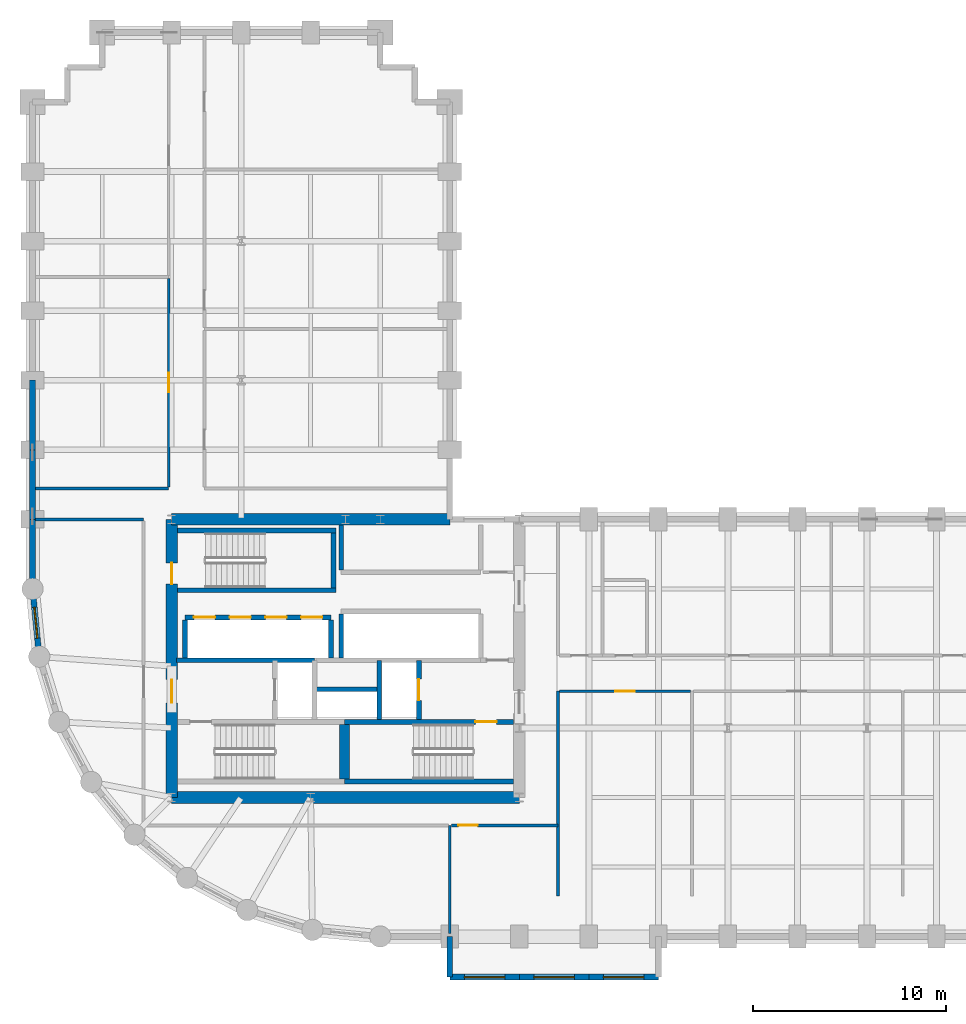
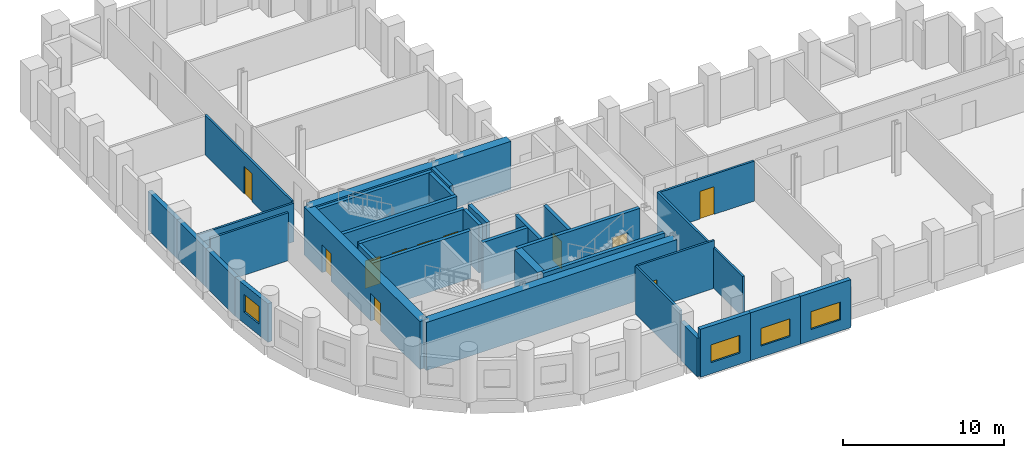
# One storey, part 6 of 9: 33 walls, 11 doors, 4 windows, 15 openings.
"""IFC4 building model written with IfcOpenShell, lengths in metres."""

from ifc_helpers import new_model, si_unit, direction, frame, frame_2d, origin, place, context, subcontext, project, spatial, rectangle, extrude, material, layer, layer_set, type_object, element, fill, save


model = new_model("IFC4")

# Units and contexts
model_context = context("Model", 3, precision=1e-05, world=origin(), true_north=direction((0.0, 1.0)))
body_context = subcontext(model_context, "Body", "Model", "MODEL_VIEW")
ifc_project = project(units=[si_unit("LENGTHUNIT", "METRE"), si_unit("AREAUNIT", "SQUARE_METRE"), si_unit("VOLUMEUNIT", "CUBIC_METRE"), si_unit("PLANEANGLEUNIT", "RADIAN"), si_unit("MASSUNIT", "GRAM", prefix="KILO")], contexts=[model_context])

# Site, building, storey
site_placement = place(None, origin())
site = spatial("IfcSite", under=ifc_project, at=site_placement, CompositionType="ELEMENT")
building_placement = place(site_placement, origin())
building = spatial("IfcBuilding", under=site, at=building_placement, Name="Solnavia Interchange Tower", CompositionType="ELEMENT")
storey_placement = place(building_placement, frame((0.0, 0.0, 66.89990234375)))
storey = spatial("IfcBuildingStorey", under=building, at=storey_placement, Name="L16", CompositionType="ELEMENT", Elevation=66.89990234375)

# Wall
ifc_material_1 = material(Name="Concrete C40/50", Category="concrete")
ifc_layer_1 = layer(ifc_material_1, 0.300048828125)
ifc_layer_set_1 = layer_set([ifc_layer_1], Name="Concrete C40/50")
wall_type_1 = type_object("IfcWallType", Name="Wall-ExtSpandrel-300", PredefinedType="STANDARD", material=ifc_layer_set_1)
wall_1_placement = place(storey_placement, frame((28.800048828125, 1.5, 0.0), z_axis=(0.0, 0.0, 1.0), x_axis=(0.0, 1.0, 0.0)))
element("IfcWall", 1, at=wall_1_placement, inside=storey, type_object=wall_type_1, Name="EXW-L16-02 Exterior precast spandrel wall", PredefinedType="STANDARD", context=body_context, shape_type="SweptSolid", body=[
    extrude(rectangle(XDim=2.10009765625, YDim=0.300048828125, at=frame_2d((1.050048828125, 0.0))), origin(), (0.0, 0.0, 1.0), 2.93017578125),
])

# Wall, opening, window
wall_2_placement = place(storey_placement, frame((32.39990234375, 1.5, 0.0), z_axis=(0.0, 0.0, 1.0), x_axis=(-1.0, 0.0, 0.0)))
wall_2 = element("IfcWall", 2, at=wall_2_placement, inside=storey, type_object=wall_type_1, Name="EXW-L16-03 Exterior precast spandrel wall", PredefinedType="STANDARD", context=body_context, shape_type="SweptSolid", body=[
    extrude(rectangle(XDim=3.599853515625, YDim=0.300048828125, at=frame_2d((1.7998046875, 0.0))), origin(), (0.0, 0.0, 1.0), 3.635009765625),
])
opening_1_placement = place(wall_2_placement, frame((0.75, 0.0, 0.85009765625)))
opening_1 = element("IfcOpeningElement", 3, at=opening_1_placement, cuts=wall_2, Name="Opening WIN-01", PredefinedType="OPENING", context=body_context, shape_type="SweptSolid", body=[
    extrude(rectangle(XDim=2.10009765625, YDim=1.35009765625, at=frame_2d((1.050048828125, 0.675048828125))), frame((0.0, 0.16015625, 0.0), z_axis=(0.0, -1.0, 0.0), x_axis=(1.0, 0.0, 0.0)), (0.0, 0.0, 1.0), 0.320068359375),
])
ifc_material_2 = material(Name="Thermal-Break Aluminium & Low-E Glass", Category="aluminium")
window_type_1 = type_object("IfcWindowType", Name="Window-Ribbon-2100x1350", PartitioningType="SINGLE_PANEL", PredefinedType="WINDOW", material=ifc_material_2)
window_1_placement = place(opening_1_placement, origin())
window_1 = element("IfcWindow", 4, at=window_1_placement, inside=storey, type_object=window_type_1, Name="WIN-L16-03 Facade ribbon window", OverallHeight=1.35009765625, OverallWidth=2.10009765625, PartitioningType="SINGLE_PANEL", PredefinedType="WINDOW", context=body_context, shape_type="SweptSolid", body=[
    extrude(rectangle(XDim=2.10009765625, YDim=1.35009765625, at=frame_2d((1.050048828125, 0.675048828125))), frame((0.0, 0.030029296875, 0.0), z_axis=(0.0, -1.0, 0.0), x_axis=(1.0, 0.0, 0.0)), (0.0, 0.0, 1.0), 0.06005859375),
])
fill(opening_1, window_1)

wall_3_placement = place(storey_placement, frame((36.0, 1.5, 0.0), z_axis=(0.0, 0.0, 1.0), x_axis=(-1.0, 0.0, 0.0)))
wall_3 = element("IfcWall", 5, at=wall_3_placement, inside=storey, type_object=wall_type_1, Name="EXW-L16-04 Exterior precast spandrel wall", PredefinedType="STANDARD", context=body_context, shape_type="SweptSolid", body=[
    extrude(rectangle(XDim=3.60009765625, YDim=0.300048828125, at=frame_2d((1.800048828125, 0.0))), origin(), (0.0, 0.0, 1.0), 3.635009765625),
])
opening_2_placement = place(wall_3_placement, frame((0.75, 0.0, 0.85009765625)))
opening_2 = element("IfcOpeningElement", 6, at=opening_2_placement, cuts=wall_3, Name="Opening WIN-01", PredefinedType="OPENING", context=body_context, shape_type="SweptSolid", body=[
    extrude(rectangle(XDim=2.10009765625, YDim=1.35009765625, at=frame_2d((1.050048828125, 0.675048828125))), frame((0.0, 0.16015625, 0.0), z_axis=(0.0, -1.0, 0.0), x_axis=(1.0, 0.0, 0.0)), (0.0, 0.0, 1.0), 0.320068359375),
])
window_2_placement = place(opening_2_placement, origin())
window_2 = element("IfcWindow", 7, at=window_2_placement, inside=storey, type_object=window_type_1, Name="WIN-L16-04 Facade ribbon window", OverallHeight=1.35009765625, OverallWidth=2.10009765625, PartitioningType="SINGLE_PANEL", PredefinedType="WINDOW", context=body_context, shape_type="SweptSolid", body=[
    extrude(rectangle(XDim=2.10009765625, YDim=1.35009765625, at=frame_2d((1.050048828125, 0.675048828125))), frame((0.0, 0.030029296875, 0.0), z_axis=(0.0, -1.0, 0.0), x_axis=(1.0, 0.0, 0.0)), (0.0, 0.0, 1.0), 0.06005859375),
])
fill(opening_2, window_2)

wall_4_placement = place(storey_placement, frame((39.60009765625, 1.5, 0.0), z_axis=(0.0, 0.0, 1.0), x_axis=(-1.0, 0.0, 0.0)))
wall_4 = element("IfcWall", 8, at=wall_4_placement, inside=storey, type_object=wall_type_1, Name="EXW-L16-05 Exterior precast spandrel wall", PredefinedType="STANDARD", context=body_context, shape_type="SweptSolid", body=[
    extrude(rectangle(XDim=3.60009765625, YDim=0.300048828125, at=frame_2d((1.800048828125, 0.0))), origin(), (0.0, 0.0, 1.0), 3.635009765625),
])
opening_3_placement = place(wall_4_placement, frame((0.75, 0.0, 0.85009765625)))
opening_3 = element("IfcOpeningElement", 9, at=opening_3_placement, cuts=wall_4, Name="Opening WIN-01", PredefinedType="OPENING", context=body_context, shape_type="SweptSolid", body=[
    extrude(rectangle(XDim=2.10009765625, YDim=1.35009765625, at=frame_2d((1.050048828125, 0.675048828125))), frame((0.0, 0.16015625, 0.0), z_axis=(0.0, -1.0, 0.0), x_axis=(1.0, 0.0, 0.0)), (0.0, 0.0, 1.0), 0.320068359375),
])
window_3_placement = place(opening_3_placement, origin())
window_3 = element("IfcWindow", 10, at=window_3_placement, inside=storey, type_object=window_type_1, Name="WIN-L16-05 Facade ribbon window", OverallHeight=1.35009765625, OverallWidth=2.10009765625, PartitioningType="SINGLE_PANEL", PredefinedType="WINDOW", context=body_context, shape_type="SweptSolid", body=[
    extrude(rectangle(XDim=2.10009765625, YDim=1.35009765625, at=frame_2d((1.050048828125, 0.675048828125))), frame((0.0, 0.030029296875, 0.0), z_axis=(0.0, -1.0, 0.0), x_axis=(1.0, 0.0, 0.0)), (0.0, 0.0, 1.0), 0.06005859375),
])
fill(opening_3, window_3)

# Walls
wall_5_placement = place(storey_placement, frame((7.199951171875, 28.800048828125, 0.0), z_axis=(0.0, 0.0, 1.0), x_axis=(0.0, 1.0, 0.0)))
element("IfcWall", 11, at=wall_5_placement, inside=storey, type_object=wall_type_1, Name="EXW-L16-54 Exterior precast spandrel wall", PredefinedType="STANDARD", context=body_context, shape_type="SweptSolid", body=[
    extrude(rectangle(XDim=3.599853515625, YDim=0.300048828125, at=frame_2d((1.7998046875, 0.0))), origin(), (0.0, 0.0, 1.0), 2.93017578125),
])
wall_6_placement = place(storey_placement, frame((7.199951171875, 25.199951171875, 0.0), z_axis=(0.0, 0.0, 1.0), x_axis=(0.0, 1.0, 0.0)))
element("IfcWall", 12, at=wall_6_placement, inside=storey, type_object=wall_type_1, Name="EXW-L16-55 Exterior precast spandrel wall", PredefinedType="STANDARD", context=body_context, shape_type="SweptSolid", body=[
    extrude(rectangle(XDim=3.60009765625, YDim=0.300048828125, at=frame_2d((1.800048828125, 0.0))), origin(), (0.0, 0.0, 1.0), 2.93017578125),
])
wall_7_placement = place(storey_placement, frame((7.199951171875, 21.60009765625, 0.0), z_axis=(0.0, 0.0, 1.0), x_axis=(0.0, 1.0, 0.0)))
element("IfcWall", 13, at=wall_7_placement, inside=storey, type_object=wall_type_1, Name="EXW-L16-56 Exterior precast spandrel wall", PredefinedType="STANDARD", context=body_context, shape_type="SweptSolid", body=[
    extrude(rectangle(XDim=3.599853515625, YDim=0.300048828125, at=frame_2d((1.7998046875, 0.0))), origin(), (0.0, 0.0, 1.0), 2.93017578125),
])

# Wall, opening, window
wall_8_placement = place(storey_placement, frame((7.5458984375, 18.087890625, 0.0), z_axis=(0.0, 0.0, 1.0), x_axis=(-0.09802417461, 0.995184033831, 0.0)))
wall_8 = element("IfcWall", 14, at=wall_8_placement, inside=storey, type_object=wall_type_1, Name="EXW-L16-57 Exterior precast spandrel wall", PredefinedType="STANDARD", context=body_context, shape_type="SweptSolid", body=[
    extrude(rectangle(XDim=3.529296875, YDim=0.300048828125, at=frame_2d((1.7646484375, 0.0))), origin(), (0.0, 0.0, 1.0), 2.93017578125),
])
opening_4_placement = place(wall_8_placement, frame((0.965087890625, 0.0, 0.85009765625)))
opening_4 = element("IfcOpeningElement", 15, at=opening_4_placement, cuts=wall_8, Name="Opening WIN-04", PredefinedType="OPENING", context=body_context, shape_type="SweptSolid", body=[
    extrude(rectangle(XDim=1.60009765625, YDim=1.35009765625, at=frame_2d((0.800048828125, 0.675048828125))), frame((0.0, 0.16015625, 0.0), z_axis=(0.0, -1.0, 0.0), x_axis=(1.0, 0.0, 0.0)), (0.0, 0.0, 1.0), 0.320068359375),
])
window_type_2 = type_object("IfcWindowType", Name="Window-Drum-1600x1350", PartitioningType="SINGLE_PANEL", PredefinedType="WINDOW", material=ifc_material_2)
window_4_placement = place(opening_4_placement, origin())
window_4 = element("IfcWindow", 16, at=window_4_placement, inside=storey, type_object=window_type_2, Name="WIN-L16-57 Facade ribbon window", OverallHeight=1.35009765625, OverallWidth=1.60009765625, PartitioningType="SINGLE_PANEL", PredefinedType="WINDOW", context=body_context, shape_type="SweptSolid", body=[
    extrude(rectangle(XDim=1.60009765625, YDim=1.35009765625, at=frame_2d((0.800048828125, 0.675048828125))), frame((0.0, 0.030029296875, 0.0), z_axis=(0.0, -1.0, 0.0), x_axis=(1.0, 0.0, 0.0)), (0.0, 0.0, 1.0), 0.06005859375),
])
fill(opening_4, window_4)

# Walls
ifc_material_3 = material(Name="Gypsum Plasterboard & Steel Stud", Category="steel")
ifc_layer_2 = layer(ifc_material_3, 0.14990234375)
ifc_layer_set_2 = layer_set([ifc_layer_2], Name="Gypsum Plasterboard & Steel Stud")
wall_type_2 = type_object("IfcWallType", Name="Wall-Partition-150", PredefinedType="PARTITIONING", material=ifc_layer_set_2)
wall_9_placement = place(storey_placement, frame((7.35400390625, 25.199951171875, 0.0), z_axis=(0.0, 0.0, 1.0), x_axis=(1.0, 0.0, 0.0)))
element("IfcWall", 17, at=wall_9_placement, inside=storey, type_object=wall_type_2, Name="PTW-L16-07 Interior partition wall", PredefinedType="PARTITIONING", context=body_context, shape_type="SweptSolid", body=[
    extrude(rectangle(XDim=5.595947265625, YDim=0.14990234375, at=frame_2d((2.7978515625, 0.0))), origin(), (0.0, 0.0, 1.0), 3.635009765625),
])
wall_10_placement = place(storey_placement, frame((28.800048828125, 9.35009765625, 0.0), z_axis=(0.0, 0.0, 1.0), x_axis=(0.0, -1.0, 0.0)))
element("IfcWall", 18, at=wall_10_placement, inside=storey, type_object=wall_type_2, Name="PTW-L16-08 Interior partition wall", PredefinedType="PARTITIONING", context=body_context, shape_type="SweptSolid", body=[
    extrude(rectangle(XDim=5.59619140625, YDim=0.14990234375, at=frame_2d((2.798095703125, 0.0))), origin(), (0.0, 0.0, 1.0), 3.635009765625),
])

# Wall, opening, door
wall_11_placement = place(storey_placement, frame((28.87890625, 9.35009765625, 0.0), z_axis=(0.0, 0.0, 1.0), x_axis=(1.0, 0.0, 0.0)))
wall_11 = element("IfcWall", 19, at=wall_11_placement, inside=storey, type_object=wall_type_2, Name="PTW-L16-11 Interior partition wall", PredefinedType="PARTITIONING", context=body_context, shape_type="SweptSolid", body=[
    extrude(rectangle(XDim=5.52099609375, YDim=0.14990234375, at=frame_2d((2.760498046875, 0.0))), origin(), (0.0, 0.0, 1.0), 3.635009765625),
])
opening_5_placement = place(wall_11_placement, frame((0.360107421875, 0.0, 0.0)))
opening_5 = element("IfcOpeningElement", 20, at=opening_5_placement, cuts=wall_11, Name="Opening DR-07", PredefinedType="OPENING", context=body_context, shape_type="SweptSolid", body=[
    extrude(rectangle(XDim=1.0, YDim=2.10009765625, at=frame_2d((0.5, 1.050048828125))), frame((0.0, 0.0849609375, 0.0), z_axis=(0.0, -1.0, 0.0), x_axis=(1.0, 0.0, 0.0)), (0.0, 0.0, 1.0), 0.169921875),
])
ifc_material_4 = material(Name="Timber & Acoustic Glazed Office Door", Category="wood")
door_type_1 = type_object("IfcDoorType", Name="Door-Office-1000x2100", OperationType="SINGLE_SWING_RIGHT", PredefinedType="DOOR", material=ifc_material_4)
door_1_placement = place(opening_5_placement, origin())
door_1 = element("IfcDoor", 21, at=door_1_placement, inside=storey, type_object=door_type_1, Name="DR-L16-04 Interior room door", OperationType="SINGLE_SWING_LEFT", OverallHeight=2.10009765625, OverallWidth=1.0, PredefinedType="DOOR", context=body_context, shape_type="SweptSolid", body=[
    extrude(rectangle(XDim=1.0, YDim=2.10009765625, at=frame_2d((0.5, 1.050048828125))), frame((0.0, 0.02490234375, 0.0), z_axis=(0.0, -1.0, 0.0), x_axis=(1.0, 0.0, 0.0)), (0.0, 0.0, 1.0), 0.050048828125),
])
fill(opening_5, door_1)

# Wall
wall_12_placement = place(storey_placement, frame((34.39990234375, 5.699951171875, 0.0), z_axis=(0.0, 0.0, 1.0), x_axis=(0.0, 1.0, 0.0)))
element("IfcWall", 22, at=wall_12_placement, inside=storey, type_object=wall_type_2, Name="PTW-L16-12 Interior partition wall", PredefinedType="PARTITIONING", context=body_context, shape_type="SweptSolid", body=[
    extrude(rectangle(XDim=10.60009765625, YDim=0.14990234375, at=frame_2d((5.300048828125, 0.0))), origin(), (0.0, 0.0, 1.0), 3.080078125),
])

# Wall, opening, door
wall_13_placement = place(storey_placement, frame((34.47900390625, 16.300048828125, 0.0), z_axis=(0.0, 0.0, 1.0), x_axis=(1.0, 0.0, 0.0)))
wall_13 = element("IfcWall", 23, at=wall_13_placement, inside=storey, type_object=wall_type_2, Name="PTW-L16-14 Interior partition wall", PredefinedType="PARTITIONING", context=body_context, shape_type="SweptSolid", body=[
    extrude(rectangle(XDim=6.7919921875, YDim=0.14990234375, at=frame_2d((3.39599609375, 0.0))), origin(), (0.0, 0.0, 1.0), 3.0400390625),
])
opening_6_placement = place(wall_13_placement, frame((2.89599609375, 0.0, 0.0)))
opening_6 = element("IfcOpeningElement", 24, at=opening_6_placement, cuts=wall_13, Name="Opening DR-07", PredefinedType="OPENING", context=body_context, shape_type="SweptSolid", body=[
    extrude(rectangle(XDim=1.0, YDim=2.10009765625, at=frame_2d((0.5, 1.050048828125))), frame((0.0, 0.0849609375, 0.0), z_axis=(0.0, -1.0, 0.0), x_axis=(1.0, 0.0, 0.0)), (0.0, 0.0, 1.0), 0.169921875),
])
door_2_placement = place(opening_6_placement, origin())
door_2 = element("IfcDoor", 25, at=door_2_placement, inside=storey, type_object=door_type_1, Name="DR-L16-05 Interior room door", OperationType="SINGLE_SWING_RIGHT", OverallHeight=2.10009765625, OverallWidth=1.0, PredefinedType="DOOR", context=body_context, shape_type="SweptSolid", body=[
    extrude(rectangle(XDim=1.0, YDim=2.10009765625, at=frame_2d((0.5, 1.050048828125))), frame((0.0, 0.02490234375, 0.0), z_axis=(0.0, -1.0, 0.0), x_axis=(1.0, 0.0, 0.0)), (0.0, 0.0, 1.0), 0.050048828125),
])
fill(opening_6, door_2)

# Wall
wall_14_placement = place(storey_placement, frame((7.35400390625, 26.800048828125, 0.0), z_axis=(0.0, 0.0, 1.0), x_axis=(1.0, 0.0, 0.0)))
element("IfcWall", 26, at=wall_14_placement, inside=storey, type_object=wall_type_2, Name="PTW-L16-21 Interior partition wall", PredefinedType="PARTITIONING", context=body_context, shape_type="SweptSolid", body=[
    extrude(rectangle(XDim=6.89599609375, YDim=0.14990234375, at=frame_2d((3.447998046875, 0.0))), origin(), (0.0, 0.0, 1.0), 2.93017578125),
])

# Wall, opening, door
wall_15_placement = place(storey_placement, frame((14.25, 26.87890625, 0.0), z_axis=(0.0, 0.0, 1.0), x_axis=(0.0, 1.0, 0.0)))
wall_15 = element("IfcWall", 27, at=wall_15_placement, inside=storey, type_object=wall_type_2, Name="PTW-L16-23 Interior partition wall", PredefinedType="PARTITIONING", context=body_context, shape_type="SweptSolid", body=[
    extrude(rectangle(XDim=10.7919921875, YDim=0.14990234375, at=frame_2d((5.39599609375, 0.0))), origin(), (0.0, 0.0, 1.0), 3.030029296875),
])
opening_7_placement = place(wall_15_placement, frame((4.89599609375, 0.0, 0.0)))
opening_7 = element("IfcOpeningElement", 28, at=opening_7_placement, cuts=wall_15, Name="Opening DR-07", PredefinedType="OPENING", context=body_context, shape_type="SweptSolid", body=[
    extrude(rectangle(XDim=1.0, YDim=2.10009765625, at=frame_2d((0.5, 1.050048828125))), frame((0.0, 0.0849609375, 0.0), z_axis=(0.0, -1.0, 0.0), x_axis=(1.0, 0.0, 0.0)), (0.0, 0.0, 1.0), 0.169921875),
])
door_3_placement = place(opening_7_placement, origin())
door_3 = element("IfcDoor", 29, at=door_3_placement, inside=storey, type_object=door_type_1, Name="DR-L16-10 Interior room door", OperationType="SINGLE_SWING_RIGHT", OverallHeight=2.10009765625, OverallWidth=1.0, PredefinedType="DOOR", context=body_context, shape_type="SweptSolid", body=[
    extrude(rectangle(XDim=1.0, YDim=2.10009765625, at=frame_2d((0.5, 1.050048828125))), frame((0.0, 0.02490234375, 0.0), z_axis=(0.0, -1.0, 0.0), x_axis=(1.0, 0.0, 0.0)), (0.0, 0.0, 1.0), 0.050048828125),
])
fill(opening_7, door_3)

# Wall
ifc_layer_3 = layer(ifc_material_1, 0.25)
ifc_layer_set_3 = layer_set([ifc_layer_3], Name="Concrete C40/50")
wall_type_3 = type_object("IfcWallType", Name="Wall-ShaftCore-250", PredefinedType="SHEAR", material=ifc_layer_set_3)
wall_16_placement = place(storey_placement, frame((23.35009765625, 11.625, 0.0), z_axis=(0.0, 0.0, 1.0), x_axis=(1.0, 0.0, 0.0)))
element("IfcWall", 30, at=wall_16_placement, inside=storey, type_object=wall_type_3, Name="SHW-L16-ST2S Core shear wall", PredefinedType="SHEAR", context=body_context, shape_type="SweptSolid", body=[
    extrude(rectangle(XDim=8.75, YDim=0.25, at=frame_2d((4.375, 0.0))), origin(), (0.0, 0.0, 1.0), 3.650146484375),
])

# Wall, opening, door
wall_17_placement = place(storey_placement, frame((23.35009765625, 14.715087890625, 0.0), z_axis=(0.0, 0.0, 1.0), x_axis=(1.0, 0.0, 0.0)))
wall_17 = element("IfcWall", 31, at=wall_17_placement, inside=storey, type_object=wall_type_3, Name="SHW-L16-ST2N Core shear wall", PredefinedType="SHEAR", context=body_context, shape_type="SweptSolid", body=[
    extrude(rectangle(XDim=8.75, YDim=0.25, at=frame_2d((4.375, 0.0))), origin(), (0.0, 0.0, 1.0), 3.650146484375),
])
opening_8_placement = place(wall_17_placement, frame((6.77490234375, 0.0, 0.0)))
opening_8 = element("IfcOpeningElement", 32, at=opening_8_placement, cuts=wall_17, Name="Opening DR-01", PredefinedType="OPENING", context=body_context, shape_type="SweptSolid", body=[
    extrude(rectangle(XDim=1.10009765625, YDim=2.10009765625, at=frame_2d((0.550048828125, 1.050048828125))), frame((0.0, 0.135009765625, 0.0), z_axis=(0.0, -1.0, 0.0), x_axis=(1.0, 0.0, 0.0)), (0.0, 0.0, 1.0), 0.27001953125),
])
ifc_material_5 = material(Name="Steel Fire-Rated Leaf & Frame", Category="steel")
door_type_2 = type_object("IfcDoorType", Name="Door-StairFire-1100x2100", OperationType="SINGLE_SWING_LEFT", PredefinedType="DOOR", material=ifc_material_5)
door_4_placement = place(opening_8_placement, origin())
door_4 = element("IfcDoor", 33, at=door_4_placement, inside=storey, type_object=door_type_2, Name="DR-L16-ST2 Core fire door", OperationType="SINGLE_SWING_LEFT", OverallHeight=2.10009765625, OverallWidth=1.10009765625, PredefinedType="DOOR", context=body_context, shape_type="SweptSolid", body=[
    extrude(rectangle(XDim=1.10009765625, YDim=2.10009765625, at=frame_2d((0.550048828125, 1.050048828125))), frame((0.0, 0.02490234375, 0.0), z_axis=(0.0, -1.0, 0.0), x_axis=(1.0, 0.0, 0.0)), (0.0, 0.0, 1.0), 0.050048828125),
])
fill(opening_8, door_4)

# Walls
for number, where, z_axis, x_axis, name in (
    (34, (14.699951171875, 21.52490234375, 0.0), (0.0, 0.0, 1.0), (1.0, 0.0, 0.0), "SHW-L16-ST3S Core shear wall"),
    (35, (14.699951171875, 24.614990234375, 0.0), (0.0, 0.0, 1.0), (1.0, 0.0, 0.0), "SHW-L16-ST3N Core shear wall"),
):
    element("IfcWall", number, at=place(storey_placement, frame(where, z_axis=z_axis, x_axis=x_axis)), inside=storey, type_object=wall_type_3, Name=name, PredefinedType="SHEAR", context=body_context, shape_type="SweptSolid", body=[
        extrude(rectangle(XDim=8.199951171875, YDim=0.25, at=frame_2d((4.10009765625, 0.0))), origin(), (0.0, 0.0, 1.0), 3.650146484375),
    ])
wall_18_placement = place(storey_placement, frame((22.77490234375, 21.64990234375, 0.0), z_axis=(0.0, 0.0, 1.0), x_axis=(0.0, 1.0, 0.0)))
element("IfcWall", 36, at=wall_18_placement, inside=storey, type_object=wall_type_3, Name="SHW-L16-ST3E Core shear wall", PredefinedType="SHEAR", context=body_context, shape_type="SweptSolid", body=[
    extrude(rectangle(XDim=2.840087890625, YDim=0.25, at=frame_2d((1.419921875, 0.0))), origin(), (0.0, 0.0, 1.0), 3.650146484375),
])
ifc_layer_4 = layer(ifc_material_1, 0.25)
ifc_layer_set_4 = layer_set([ifc_layer_4], Name="Concrete C40/50")
wall_type_4 = type_object("IfcWallType", Name="Wall-ShaftPart-250", PredefinedType="PARTITIONING", material=ifc_layer_set_4)
wall_19_placement = place(storey_placement, frame((14.64990234375, 17.89990234375, 0.0), z_axis=(0.0, 0.0, 1.0), x_axis=(1.0, 0.0, 0.0)))
element("IfcWall", 37, at=wall_19_placement, inside=storey, type_object=wall_type_4, Name="SHW-L16-FFLW-N Core shaft wall", PredefinedType="PARTITIONING", context=body_context, shape_type="SweptSolid", body=[
    extrude(rectangle(XDim=7.150146484375, YDim=0.25, at=frame_2d((3.5751953125, 0.0))), origin(), (0.0, 0.0, 1.0), 3.635009765625),
])
wall_20_placement = place(storey_placement, frame((25.14990234375, 14.840087890625, 0.0), z_axis=(0.0, 0.0, 1.0), x_axis=(0.0, 1.0, 0.0)))
element("IfcWall", 38, at=wall_20_placement, inside=storey, type_object=wall_type_4, Name="SHW-L16-FFL2-W Core shaft wall", PredefinedType="PARTITIONING", context=body_context, shape_type="SweptSolid", body=[
    extrude(rectangle(XDim=3.059814453125, YDim=0.25, at=frame_2d((1.52978515625, 0.0))), origin(), (0.0, 0.0, 1.0), 3.635009765625),
])

# Wall, opening, door
wall_21_placement = place(storey_placement, frame((27.199951171875, 14.840087890625, 0.0), z_axis=(0.0, 0.0, 1.0), x_axis=(0.0, 1.0, 0.0)))
wall_21 = element("IfcWall", 39, at=wall_21_placement, inside=storey, type_object=wall_type_4, Name="SHW-L16-FFL2-E Core shaft wall", PredefinedType="PARTITIONING", context=body_context, shape_type="SweptSolid", body=[
    extrude(rectangle(XDim=3.059814453125, YDim=0.25, at=frame_2d((1.52978515625, 0.0))), origin(), (0.0, 0.0, 1.0), 3.635009765625),
])
opening_9_placement = place(wall_21_placement, frame((0.97998046875, 0.0, 0.0)))
opening_9 = element("IfcOpeningElement", 40, at=opening_9_placement, cuts=wall_21, Name="Opening LD-01", PredefinedType="OPENING", context=body_context, shape_type="SweptSolid", body=[
    extrude(rectangle(XDim=1.10009765625, YDim=2.10009765625, at=frame_2d((0.550048828125, 1.050048828125))), frame((0.0, 0.135009765625, 0.0), z_axis=(0.0, -1.0, 0.0), x_axis=(1.0, 0.0, 0.0)), (0.0, 0.0, 1.0), 0.27001953125),
])
ifc_material_6 = material(Name="Brushed Stainless Steel Sliding Door", Category="steel")
door_type_3 = type_object("IfcDoorType", Name="Door-LiftLanding-1100x2100", OperationType="SLIDING_TO_LEFT", PredefinedType="DOOR", material=ifc_material_6)
door_5_placement = place(opening_9_placement, origin())
door_5 = element("IfcDoor", 41, at=door_5_placement, inside=storey, type_object=door_type_3, Name="LD-L16-FFL2 Lift landing sliding door", OperationType="SLIDING_TO_LEFT", OverallHeight=2.10009765625, OverallWidth=1.10009765625, PredefinedType="DOOR", context=body_context, shape_type="SweptSolid", body=[
    extrude(rectangle(XDim=1.10009765625, YDim=2.10009765625, at=frame_2d((0.550048828125, 1.050048828125))), frame((0.0, 0.02490234375, 0.0), z_axis=(0.0, -1.0, 0.0), x_axis=(1.0, 0.0, 0.0)), (0.0, 0.0, 1.0), 0.050048828125),
])
fill(opening_9, door_5)

# Wall
wall_22_placement = place(storey_placement, frame((21.800048828125, 16.39990234375, 0.0), z_axis=(0.0, 0.0, 1.0), x_axis=(1.0, 0.0, 0.0)))
element("IfcWall", 42, at=wall_22_placement, inside=storey, type_object=wall_type_4, Name="SHW-L16-MEP-N Core shaft wall", PredefinedType="PARTITIONING", context=body_context, shape_type="SweptSolid", body=[
    extrude(rectangle(XDim=3.349853515625, YDim=0.25, at=frame_2d((1.6748046875, 0.0))), origin(), (0.0, 0.0, 1.0), 3.635009765625),
])

# Wall, openings, doors
wall_23_placement = place(storey_placement, frame((15.10009765625, 20.125, 0.0), z_axis=(0.0, 0.0, 1.0), x_axis=(1.0, 0.0, 0.0)))
wall_23 = element("IfcWall", 43, at=wall_23_placement, inside=storey, type_object=wall_type_4, Name="SHW-L16-B1N Core shaft wall", PredefinedType="PARTITIONING", context=body_context, shape_type="SweptSolid", body=[
    extrude(rectangle(XDim=7.5498046875, YDim=0.25, at=frame_2d((3.77490234375, 0.0))), origin(), (0.0, 0.0, 1.0), 3.635009765625),
])
opening_10_placement = place(wall_23_placement, frame((0.449951171875, 0.0, 0.0)))
opening_10 = element("IfcOpeningElement", 44, at=opening_10_placement, cuts=wall_23, Name="Opening LD-01", PredefinedType="OPENING", context=body_context, shape_type="SweptSolid", body=[
    extrude(rectangle(XDim=1.10009765625, YDim=2.10009765625, at=frame_2d((0.550048828125, 1.050048828125))), frame((0.0, 0.135009765625, 0.0), z_axis=(0.0, -1.0, 0.0), x_axis=(1.0, 0.0, 0.0)), (0.0, 0.0, 1.0), 0.27001953125),
])
opening_11_placement = place(wall_23_placement, frame((2.300048828125, 0.0, 0.0)))
opening_11 = element("IfcOpeningElement", 45, at=opening_11_placement, cuts=wall_23, Name="Opening LD-01", PredefinedType="OPENING", context=body_context, shape_type="SweptSolid", body=[
    extrude(rectangle(XDim=1.10009765625, YDim=2.10009765625, at=frame_2d((0.550048828125, 1.050048828125))), frame((0.0, 0.135009765625, 0.0), z_axis=(0.0, -1.0, 0.0), x_axis=(1.0, 0.0, 0.0)), (0.0, 0.0, 1.0), 0.27001953125),
])
opening_12_placement = place(wall_23_placement, frame((4.14990234375, 0.0, 0.0)))
opening_12 = element("IfcOpeningElement", 46, at=opening_12_placement, cuts=wall_23, Name="Opening LD-01", PredefinedType="OPENING", context=body_context, shape_type="SweptSolid", body=[
    extrude(rectangle(XDim=1.10009765625, YDim=2.10009765625, at=frame_2d((0.550048828125, 1.050048828125))), frame((0.0, 0.135009765625, 0.0), z_axis=(0.0, -1.0, 0.0), x_axis=(1.0, 0.0, 0.0)), (0.0, 0.0, 1.0), 0.27001953125),
])
opening_13_placement = place(wall_23_placement, frame((6.0, 0.0, 0.0)))
opening_13 = element("IfcOpeningElement", 47, at=opening_13_placement, cuts=wall_23, Name="Opening LD-01", PredefinedType="OPENING", context=body_context, shape_type="SweptSolid", body=[
    extrude(rectangle(XDim=1.10009765625, YDim=2.10009765625, at=frame_2d((0.550048828125, 1.050048828125))), frame((0.0, 0.135009765625, 0.0), z_axis=(0.0, -1.0, 0.0), x_axis=(1.0, 0.0, 0.0)), (0.0, 0.0, 1.0), 0.27001953125),
])
door_6_placement = place(opening_10_placement, origin())
door_6 = element("IfcDoor", 48, at=door_6_placement, inside=storey, type_object=door_type_3, Name="LD-L16-B1-1 Lift landing sliding door", OperationType="SLIDING_TO_LEFT", OverallHeight=2.10009765625, OverallWidth=1.10009765625, PredefinedType="DOOR", context=body_context, shape_type="SweptSolid", body=[
    extrude(rectangle(XDim=1.10009765625, YDim=2.10009765625, at=frame_2d((0.550048828125, 1.050048828125))), frame((0.0, 0.02490234375, 0.0), z_axis=(0.0, -1.0, 0.0), x_axis=(1.0, 0.0, 0.0)), (0.0, 0.0, 1.0), 0.050048828125),
])
fill(opening_10, door_6)
door_7_placement = place(opening_11_placement, origin())
door_7 = element("IfcDoor", 49, at=door_7_placement, inside=storey, type_object=door_type_3, Name="LD-L16-B1-2 Lift landing sliding door", OperationType="SLIDING_TO_LEFT", OverallHeight=2.10009765625, OverallWidth=1.10009765625, PredefinedType="DOOR", context=body_context, shape_type="SweptSolid", body=[
    extrude(rectangle(XDim=1.10009765625, YDim=2.10009765625, at=frame_2d((0.550048828125, 1.050048828125))), frame((0.0, 0.02490234375, 0.0), z_axis=(0.0, -1.0, 0.0), x_axis=(1.0, 0.0, 0.0)), (0.0, 0.0, 1.0), 0.050048828125),
])
fill(opening_11, door_7)
door_8_placement = place(opening_12_placement, origin())
door_8 = element("IfcDoor", 50, at=door_8_placement, inside=storey, type_object=door_type_3, Name="LD-L16-B1-3 Lift landing sliding door", OperationType="SLIDING_TO_LEFT", OverallHeight=2.10009765625, OverallWidth=1.10009765625, PredefinedType="DOOR", context=body_context, shape_type="SweptSolid", body=[
    extrude(rectangle(XDim=1.10009765625, YDim=2.10009765625, at=frame_2d((0.550048828125, 1.050048828125))), frame((0.0, 0.02490234375, 0.0), z_axis=(0.0, -1.0, 0.0), x_axis=(1.0, 0.0, 0.0)), (0.0, 0.0, 1.0), 0.050048828125),
])
fill(opening_12, door_8)
door_9_placement = place(opening_13_placement, origin())
door_9 = element("IfcDoor", 51, at=door_9_placement, inside=storey, type_object=door_type_3, Name="LD-L16-B1-4 Lift landing sliding door", OperationType="SLIDING_TO_LEFT", OverallHeight=2.10009765625, OverallWidth=1.10009765625, PredefinedType="DOOR", context=body_context, shape_type="SweptSolid", body=[
    extrude(rectangle(XDim=1.10009765625, YDim=2.10009765625, at=frame_2d((0.550048828125, 1.050048828125))), frame((0.0, 0.02490234375, 0.0), z_axis=(0.0, -1.0, 0.0), x_axis=(1.0, 0.0, 0.0)), (0.0, 0.0, 1.0), 0.050048828125),
])
fill(opening_13, door_9)

# Walls
for number, where, z_axis, x_axis, name in (
    (52, (15.10009765625, 18.02490234375, 0.0), (0.0, 0.0, 1.0), (0.0, 1.0, 0.0), "SHW-L16-B1W Core shaft wall"),
    (53, (22.64990234375, 18.02490234375, 0.0), (0.0, 0.0, 1.0), (0.0, 1.0, 0.0), "SHW-L16-B1E Core shaft wall"),
):
    element("IfcWall", number, at=place(storey_placement, frame(where, z_axis=z_axis, x_axis=x_axis)), inside=storey, type_object=wall_type_4, Name=name, PredefinedType="PARTITIONING", context=body_context, shape_type="SweptSolid", body=[
        extrude(rectangle(XDim=1.97509765625, YDim=0.25, at=frame_2d((0.987548828125, 0.0))), origin(), (0.0, 0.0, 1.0), 3.635009765625),
    ])
wall_24_placement = place(storey_placement, frame((23.179931640625, 18.02490234375, 0.0), z_axis=(0.0, 0.0, 1.0), x_axis=(0.0, 1.0, 0.0)))
element("IfcWall", 54, at=wall_24_placement, inside=storey, type_object=wall_type_4, Name="SHW-L16-B2W Core shaft wall", PredefinedType="PARTITIONING", context=body_context, shape_type="SweptSolid", body=[
    extrude(rectangle(XDim=2.27001953125, YDim=0.25, at=frame_2d((1.135009765625, 0.0))), origin(), (0.0, 0.0, 1.0), 3.635009765625),
])
wall_25_placement = place(storey_placement, frame((23.179931640625, 22.5849609375, 0.0), z_axis=(0.0, 0.0, 1.0), x_axis=(0.0, 1.0, 0.0)))
element("IfcWall", 55, at=wall_25_placement, inside=storey, type_object=wall_type_4, Name="SHW-L16-B3W Core shaft wall", PredefinedType="PARTITIONING", context=body_context, shape_type="SweptSolid", body=[
    extrude(rectangle(XDim=2.31494140625, YDim=0.25, at=frame_2d((1.157470703125, 0.0))), origin(), (0.0, 0.0, 1.0), 3.635009765625),
])
ifc_material_7 = material(Name="Concrete C60/75", Category="concrete")
ifc_layer_5 = layer(ifc_material_7, 0.5)
ifc_layer_set_5 = layer_set([ifc_layer_5], Name="Concrete C60/75")
wall_type_5 = type_object("IfcWallType", Name="Wall-ShearCore-500", PredefinedType="SHEAR", material=ifc_layer_set_5)
wall_26_placement = place(storey_placement, frame((23.35009765625, 11.75, 0.0), z_axis=(0.0, 0.0, 1.0), x_axis=(0.0, 1.0, 0.0)))
element("IfcWall", 56, at=wall_26_placement, inside=storey, type_object=wall_type_5, Name="SHW-L16-ST12M Core shear wall", PredefinedType="SHEAR", context=body_context, shape_type="SweptSolid", body=[
    extrude(rectangle(XDim=2.840087890625, YDim=0.5, at=frame_2d((1.419921875, 0.0))), origin(), (0.0, 0.0, 1.0), 3.650146484375),
])
ifc_layer_6 = layer(ifc_material_7, 0.60009765625)
ifc_layer_set_6 = layer_set([ifc_layer_6], Name="Concrete C60/75")
wall_type_6 = type_object("IfcWallType", Name="Wall-ShearCore-600", PredefinedType="SHEAR", material=ifc_layer_set_6)
wall_27_placement = place(storey_placement, frame((14.39990234375, 10.800048828125, 0.0), z_axis=(0.0, 0.0, 1.0), x_axis=(1.0, 0.0, 0.0)))
element("IfcWall", 57, at=wall_27_placement, inside=storey, type_object=wall_type_6, Name="CRW-L16-S Core shear wall", PredefinedType="SHEAR", context=body_context, shape_type="SweptSolid", body=[
    extrude(rectangle(XDim=18.0, YDim=0.60009765625, at=frame_2d((9.0, 0.0))), origin(), (0.0, 0.0, 1.0), 3.650146484375),
])
wall_28_placement = place(storey_placement, frame((14.39990234375, 25.199951171875, 0.0), z_axis=(0.0, 0.0, 1.0), x_axis=(1.0, 0.0, 0.0)))
element("IfcWall", 58, at=wall_28_placement, inside=storey, type_object=wall_type_6, Name="CRW-L16-N Core shear wall", PredefinedType="SHEAR", context=body_context, shape_type="SweptSolid", body=[
    extrude(rectangle(XDim=14.400146484375, YDim=0.60009765625, at=frame_2d((7.2001953125, 0.0))), origin(), (0.0, 0.0, 1.0), 3.650146484375),
])

# Wall, openings, doors
wall_29_placement = place(storey_placement, frame((14.39990234375, 10.800048828125, 0.0), z_axis=(0.0, 0.0, 1.0), x_axis=(0.0, 1.0, 0.0)))
wall_29 = element("IfcWall", 59, at=wall_29_placement, inside=storey, type_object=wall_type_6, Name="CRW-L16-W Core shear wall", PredefinedType="SHEAR", context=body_context, shape_type="SweptSolid", body=[
    extrude(rectangle(XDim=14.39990234375, YDim=0.60009765625, at=frame_2d((7.199951171875, 0.0))), origin(), (0.0, 0.0, 1.0), 3.650146484375),
])
opening_14_placement = place(wall_29_placement, frame((11.050048828125, 0.0, 0.0)))
opening_14 = element("IfcOpeningElement", 60, at=opening_14_placement, cuts=wall_29, Name="Opening DR-01", PredefinedType="OPENING", context=body_context, shape_type="SweptSolid", body=[
    extrude(rectangle(XDim=1.10009765625, YDim=2.10009765625, at=frame_2d((0.550048828125, 1.050048828125))), frame((0.0, 0.31005859375, 0.0), z_axis=(0.0, -1.0, 0.0), x_axis=(1.0, 0.0, 0.0)), (0.0, 0.0, 1.0), 0.6201171875),
])
opening_15_placement = place(wall_29_placement, frame((4.89990234375, 0.0, 0.0)))
opening_15 = element("IfcOpeningElement", 61, at=opening_15_placement, cuts=wall_29, Name="Opening DR-02", PredefinedType="OPENING", context=body_context, shape_type="SweptSolid", body=[
    extrude(rectangle(XDim=1.199951171875, YDim=2.10009765625, at=frame_2d((0.60009765625, 1.050048828125))), frame((0.0, 0.31005859375, 0.0), z_axis=(0.0, -1.0, 0.0), x_axis=(1.0, 0.0, 0.0)), (0.0, 0.0, 1.0), 0.6201171875),
])
ifc_material_8 = material(Name="Steel Fire-Rated Vision-Panel Door", Category="steel")
door_type_4 = type_object("IfcDoorType", Name="Door-LobbyFire-1200x2100", OperationType="SINGLE_SWING_RIGHT", PredefinedType="DOOR", material=ifc_material_8)
door_10_placement = place(opening_15_placement, origin())
door_10 = element("IfcDoor", 62, at=door_10_placement, inside=storey, type_object=door_type_4, Name="DR-L16-FFL1W Core fire door", OperationType="SINGLE_SWING_RIGHT", OverallHeight=2.10009765625, OverallWidth=1.199951171875, PredefinedType="DOOR", context=body_context, shape_type="SweptSolid", body=[
    extrude(rectangle(XDim=1.199951171875, YDim=2.10009765625, at=frame_2d((0.60009765625, 1.050048828125))), frame((0.0, 0.02490234375, 0.0), z_axis=(0.0, -1.0, 0.0), x_axis=(1.0, 0.0, 0.0)), (0.0, 0.0, 1.0), 0.050048828125),
])
fill(opening_15, door_10)
door_11_placement = place(opening_14_placement, origin())
door_11 = element("IfcDoor", 63, at=door_11_placement, inside=storey, type_object=door_type_2, Name="DR-L16-ST3 Core fire door", OperationType="SINGLE_SWING_RIGHT", OverallHeight=2.10009765625, OverallWidth=1.10009765625, PredefinedType="DOOR", context=body_context, shape_type="SweptSolid", body=[
    extrude(rectangle(XDim=1.10009765625, YDim=2.10009765625, at=frame_2d((0.550048828125, 1.050048828125))), frame((0.0, 0.02490234375, 0.0), z_axis=(0.0, -1.0, 0.0), x_axis=(1.0, 0.0, 0.0)), (0.0, 0.0, 1.0), 0.050048828125),
])
fill(opening_14, door_11)

save(model, "model.ifc")
